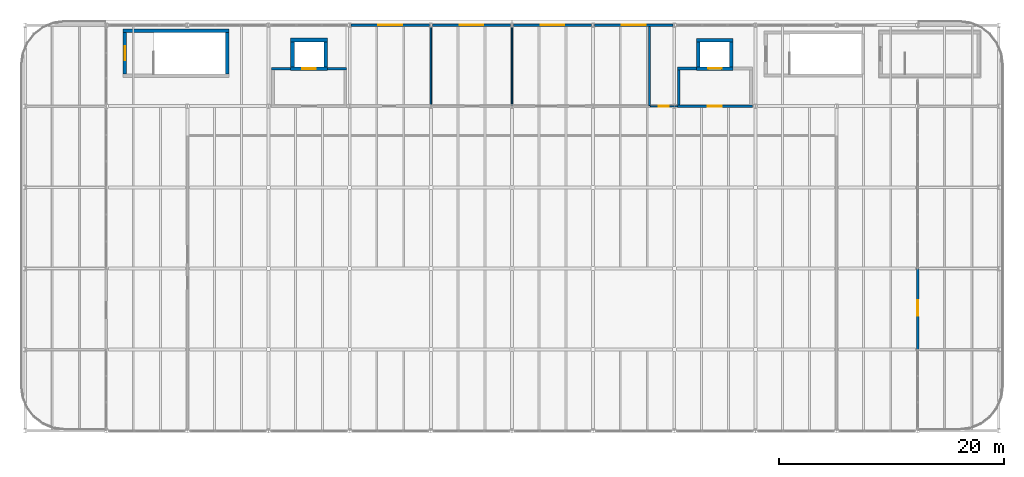
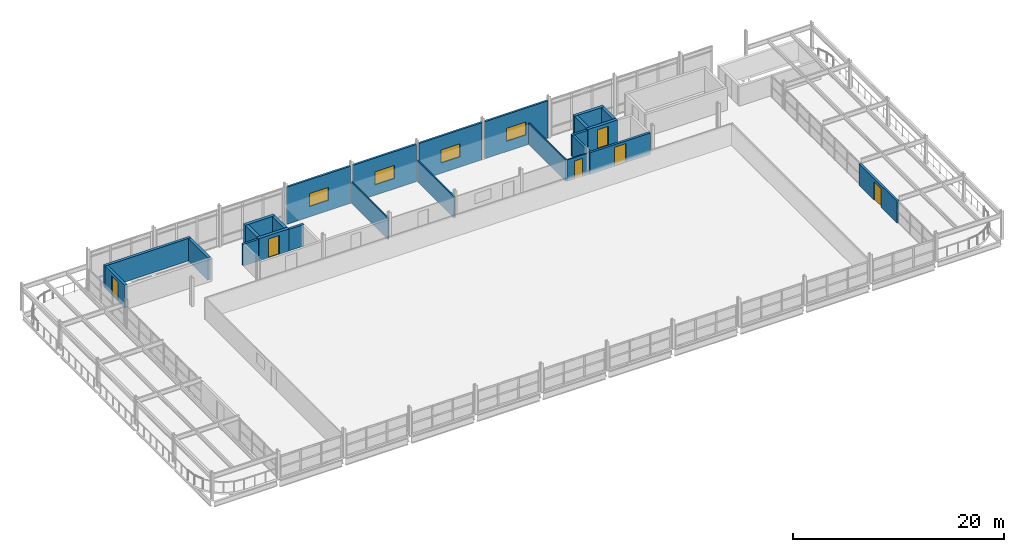
# One storey, part 21 of 25: 25 walls, 6 doors, 4 windows, 10 openings.
"""IFC4 building model written with IfcOpenShell, lengths in metres."""

from ifc_helpers import new_model, si_unit, direction, frame, frame_2d, origin, place, context, subcontext, project, spatial, rectangle, extrude, material, layer, layer_set, type_object, element, fill, save


model = new_model("IFC4")

# Units and contexts
model_context = context("Model", 3, precision=1e-05, world=origin(), true_north=direction((0.0, 1.0)))
body_context = subcontext(model_context, "Body", "Model", "MODEL_VIEW")
ifc_project = project(units=[si_unit("LENGTHUNIT", "METRE"), si_unit("AREAUNIT", "SQUARE_METRE"), si_unit("VOLUMEUNIT", "CUBIC_METRE"), si_unit("PLANEANGLEUNIT", "RADIAN"), si_unit("MASSUNIT", "GRAM", prefix="KILO")], contexts=[model_context])

# Site, building, storey
site_placement = place(None, origin())
site = spatial("IfcSite", under=ifc_project, at=site_placement, CompositionType="ELEMENT")
building_placement = place(site_placement, origin())
building = spatial("IfcBuilding", under=site, at=building_placement, Name="Vaelcorin Mobility Hub", CompositionType="ELEMENT")
storey_placement = place(building_placement, frame((0.0, 0.0, 21.0)))
storey = spatial("IfcBuildingStorey", under=building, at=storey_placement, Name="L05", CompositionType="ELEMENT", Elevation=21.0)

# Wall
ifc_material_1 = material(Name="Reinforced concrete f'c 45 MPa", Category="concrete")
ifc_layer_1 = layer(ifc_material_1, 0.300048828125)
ifc_layer_set_1 = layer_set([ifc_layer_1], Name="Reinforced concrete f'c 45 MPa")
wall_type_1 = type_object("IfcWallType", Name="WL-CORE-300", PredefinedType="SOLIDWALL", material=ifc_layer_set_1)
wall_1_placement = place(storey_placement, frame((44.699951171875, 119.47998046875, 0.0), z_axis=(0.0, 0.0, 1.0), x_axis=(1.0, 0.0, 0.0)))
element("IfcWall", 1, at=wall_1_placement, inside=storey, type_object=wall_type_1, Name="ST3 Fire Core Wall L05 North", PredefinedType="SOLIDWALL", context=body_context, shape_type="SweptSolid", body=[
    extrude(rectangle(XDim=9.400146484375, YDim=0.300048828125, at=frame_2d((4.7001953125, 0.0))), origin(), (0.0, 0.0, 1.0), 2.60009765625),
])

# Wall, opening, door
wall_2_placement = place(storey_placement, frame((44.85009765625, 115.64990234375, 0.0), z_axis=(0.0, 0.0, 1.0), x_axis=(0.0, 1.0, 0.0)))
wall_2 = element("IfcWall", 2, at=wall_2_placement, inside=storey, type_object=wall_type_1, Name="ST3 Fire Core Wall L05 West", PredefinedType="SOLIDWALL", context=body_context, shape_type="SweptSolid", body=[
    extrude(rectangle(XDim=3.68017578125, YDim=0.300048828125, at=frame_2d((1.840087890625, 0.0))), origin(), (0.0, 0.0, 1.0), 2.60009765625),
])
opening_1_placement = place(wall_2_placement, frame((1.215087890625, 0.0, 0.0)))
opening_1 = element("IfcOpeningElement", 3, at=opening_1_placement, cuts=wall_2, Name="Opening SD02", PredefinedType="OPENING", context=body_context, shape_type="SweptSolid", body=[
    extrude(rectangle(XDim=1.25, YDim=2.199951171875, at=frame_2d((0.625, 1.10009765625))), frame((0.0, 0.159912109375, 0.0), z_axis=(0.0, -1.0, 0.0), x_axis=(1.0, 0.0, 0.0)), (0.0, 0.0, 1.0), 0.320068359375),
])
ifc_material_2 = material(Name="Hollow-metal insulated steel fire door", Category="steel")
door_type_1 = type_object("IfcDoorType", Name="DR-STAIR-FF", OperationType="NOTDEFINED", PredefinedType="DOOR", material=ifc_material_2)
door_1_placement = place(opening_1_placement, origin())
door_1 = element("IfcDoor", 4, at=door_1_placement, inside=storey, type_object=door_type_1, Name="ST3 Protected Stair Door L05", OperationType="SINGLE_SWING_RIGHT", OverallHeight=2.199951171875, OverallWidth=1.25, PredefinedType="DOOR", context=body_context, shape_type="SweptSolid", body=[
    extrude(rectangle(XDim=1.25, YDim=2.199951171875, at=frame_2d((0.625, 1.10009765625))), frame((0.0, 0.02490234375, 0.0), z_axis=(0.0, -1.0, 0.0), x_axis=(1.0, 0.0, 0.0)), (0.0, 0.0, 1.0), 0.050048828125),
])
fill(opening_1, door_1)

# Wall
wall_3_placement = place(storey_placement, frame((53.949951171875, 119.330078125, 0.0), z_axis=(0.0, 0.0, 1.0), x_axis=(0.0, -1.0, 0.0)))
element("IfcWall", 5, at=wall_3_placement, inside=storey, type_object=wall_type_1, Name="ST3 Fire Core Wall L05 East", PredefinedType="SOLIDWALL", context=body_context, shape_type="SweptSolid", body=[
    extrude(rectangle(XDim=3.68017578125, YDim=0.300048828125, at=frame_2d((1.840087890625, 0.0))), origin(), (0.0, 0.0, 1.0), 2.60009765625),
])

# Wall, opening, window
ifc_material_3 = material(Name="Insulated exterior precast concrete C40/50", Category="concrete")
ifc_layer_2 = layer(ifc_material_3, 0.219970703125)
ifc_layer_set_2 = layer_set([ifc_layer_2], Name="Insulated exterior precast concrete C40/50")
wall_type_2 = type_object("IfcWallType", Name="WL-EXT-220", PredefinedType="STANDARD", material=ifc_layer_set_2)
wall_4_placement = place(storey_placement, frame((64.93603515625, 120.0, 0.0), z_axis=(0.0, 0.0, 1.0), x_axis=(1.0, 0.0, 0.0)))
wall_4 = element("IfcWall", 6, at=wall_4_placement, inside=storey, type_object=wall_type_2, Name="L05 Exterior Wall V3-EW-N-04", PredefinedType="STANDARD", context=body_context, shape_type="SweptSolid", body=[
    extrude(rectangle(XDim=6.927978515625, YDim=0.219970703125, at=frame_2d((3.4638671875, 0.0))), origin(), (0.0, 0.0, 1.0), 4.300048828125),
])
opening_2_placement = place(wall_4_placement, frame((2.4140625, 0.0, 1.199951171875)))
opening_2 = element("IfcOpeningElement", 7, at=opening_2_placement, cuts=wall_4, Name="Opening WN19", PredefinedType="OPENING", context=body_context, shape_type="SweptSolid", body=[
    extrude(rectangle(XDim=2.10009765625, YDim=1.5, at=frame_2d((1.050048828125, 0.75))), frame((0.0, 0.119873046875, 0.0), z_axis=(0.0, -1.0, 0.0), x_axis=(1.0, 0.0, 0.0)), (0.0, 0.0, 1.0), 0.239990234375),
])
ifc_material_4 = material(Name="Double-glazed low-E window unit", Category="glass")
window_type = type_object("IfcWindowType", Name="WIN-2100X1500", PartitioningType="SINGLE_PANEL", PredefinedType="WINDOW", material=ifc_material_4)
window_1_placement = place(opening_2_placement, origin())
window_1 = element("IfcWindow", 8, at=window_1_placement, inside=storey, type_object=window_type, Name="L05 Window V3-EW-N-04-WN", OverallHeight=1.5, OverallWidth=2.10009765625, PartitioningType="SINGLE_PANEL", PredefinedType="WINDOW", context=body_context, shape_type="SweptSolid", body=[
    extrude(rectangle(XDim=2.10009765625, YDim=1.5, at=frame_2d((1.050048828125, 0.75))), frame((0.0, 0.030029296875, 0.0), z_axis=(0.0, -1.0, 0.0), x_axis=(1.0, 0.0, 0.0)), (0.0, 0.0, 1.0), 0.06005859375),
])
fill(opening_2, window_1)

wall_5_placement = place(storey_placement, frame((72.135986328125, 120.0, 0.0), z_axis=(0.0, 0.0, 1.0), x_axis=(1.0, 0.0, 0.0)))
wall_5 = element("IfcWall", 9, at=wall_5_placement, inside=storey, type_object=wall_type_2, Name="L05 Exterior Wall V3-EW-N-05", PredefinedType="STANDARD", context=body_context, shape_type="SweptSolid", body=[
    extrude(rectangle(XDim=6.927978515625, YDim=0.219970703125, at=frame_2d((3.4638671875, 0.0))), origin(), (0.0, 0.0, 1.0), 4.300048828125),
])
opening_3_placement = place(wall_5_placement, frame((2.4140625, 0.0, 1.199951171875)))
opening_3 = element("IfcOpeningElement", 10, at=opening_3_placement, cuts=wall_5, Name="Opening WN19", PredefinedType="OPENING", context=body_context, shape_type="SweptSolid", body=[
    extrude(rectangle(XDim=2.10009765625, YDim=1.5, at=frame_2d((1.050048828125, 0.75))), frame((0.0, 0.119873046875, 0.0), z_axis=(0.0, -1.0, 0.0), x_axis=(1.0, 0.0, 0.0)), (0.0, 0.0, 1.0), 0.239990234375),
])
window_2_placement = place(opening_3_placement, origin())
window_2 = element("IfcWindow", 11, at=window_2_placement, inside=storey, type_object=window_type, Name="L05 Window V3-EW-N-05-WN", OverallHeight=1.5, OverallWidth=2.10009765625, PartitioningType="SINGLE_PANEL", PredefinedType="WINDOW", context=body_context, shape_type="SweptSolid", body=[
    extrude(rectangle(XDim=2.10009765625, YDim=1.5, at=frame_2d((1.050048828125, 0.75))), frame((0.0, 0.030029296875, 0.0), z_axis=(0.0, -1.0, 0.0), x_axis=(1.0, 0.0, 0.0)), (0.0, 0.0, 1.0), 0.06005859375),
])
fill(opening_3, window_2)

wall_6_placement = place(storey_placement, frame((79.3359375, 120.0, 0.0), z_axis=(0.0, 0.0, 1.0), x_axis=(1.0, 0.0, 0.0)))
wall_6 = element("IfcWall", 12, at=wall_6_placement, inside=storey, type_object=wall_type_2, Name="L05 Exterior Wall V3-EW-N-06", PredefinedType="STANDARD", context=body_context, shape_type="SweptSolid", body=[
    extrude(rectangle(XDim=6.927978515625, YDim=0.219970703125, at=frame_2d((3.4638671875, 0.0))), origin(), (0.0, 0.0, 1.0), 4.300048828125),
])
opening_4_placement = place(wall_6_placement, frame((2.4140625, 0.0, 1.199951171875)))
opening_4 = element("IfcOpeningElement", 13, at=opening_4_placement, cuts=wall_6, Name="Opening WN19", PredefinedType="OPENING", context=body_context, shape_type="SweptSolid", body=[
    extrude(rectangle(XDim=2.10009765625, YDim=1.5, at=frame_2d((1.050048828125, 0.75))), frame((0.0, 0.119873046875, 0.0), z_axis=(0.0, -1.0, 0.0), x_axis=(1.0, 0.0, 0.0)), (0.0, 0.0, 1.0), 0.239990234375),
])
window_3_placement = place(opening_4_placement, origin())
window_3 = element("IfcWindow", 14, at=window_3_placement, inside=storey, type_object=window_type, Name="L05 Window V3-EW-N-06-WN", OverallHeight=1.5, OverallWidth=2.10009765625, PartitioningType="SINGLE_PANEL", PredefinedType="WINDOW", context=body_context, shape_type="SweptSolid", body=[
    extrude(rectangle(XDim=2.10009765625, YDim=1.5, at=frame_2d((1.050048828125, 0.75))), frame((0.0, 0.030029296875, 0.0), z_axis=(0.0, -1.0, 0.0), x_axis=(1.0, 0.0, 0.0)), (0.0, 0.0, 1.0), 0.06005859375),
])
fill(opening_4, window_3)

wall_7_placement = place(storey_placement, frame((86.535888671875, 120.0, 0.0), z_axis=(0.0, 0.0, 1.0), x_axis=(1.0, 0.0, 0.0)))
wall_7 = element("IfcWall", 15, at=wall_7_placement, inside=storey, type_object=wall_type_2, Name="L05 Exterior Wall V3-EW-N-07", PredefinedType="STANDARD", context=body_context, shape_type="SweptSolid", body=[
    extrude(rectangle(XDim=6.92822265625, YDim=0.219970703125, at=frame_2d((3.464111328125, 0.0))), origin(), (0.0, 0.0, 1.0), 4.300048828125),
])
opening_5_placement = place(wall_7_placement, frame((2.4140625, 0.0, 1.199951171875)))
opening_5 = element("IfcOpeningElement", 16, at=opening_5_placement, cuts=wall_7, Name="Opening WN19", PredefinedType="OPENING", context=body_context, shape_type="SweptSolid", body=[
    extrude(rectangle(XDim=2.10009765625, YDim=1.5, at=frame_2d((1.050048828125, 0.75))), frame((0.0, 0.119873046875, 0.0), z_axis=(0.0, -1.0, 0.0), x_axis=(1.0, 0.0, 0.0)), (0.0, 0.0, 1.0), 0.239990234375),
])
window_4_placement = place(opening_5_placement, origin())
window_4 = element("IfcWindow", 17, at=window_4_placement, inside=storey, type_object=window_type, Name="L05 Window V3-EW-N-07-WN", OverallHeight=1.5, OverallWidth=2.10009765625, PartitioningType="SINGLE_PANEL", PredefinedType="WINDOW", context=body_context, shape_type="SweptSolid", body=[
    extrude(rectangle(XDim=2.10009765625, YDim=1.5, at=frame_2d((1.050048828125, 0.75))), frame((0.0, 0.030029296875, 0.0), z_axis=(0.0, -1.0, 0.0), x_axis=(1.0, 0.0, 0.0)), (0.0, 0.0, 1.0), 0.06005859375),
])
fill(opening_5, window_4)

# Wall, opening, door
ifc_layer_3 = layer(ifc_material_3, 0.239990234375)
ifc_layer_set_3 = layer_set([ifc_layer_3], Name="Insulated exterior precast concrete C40/50")
wall_type_3 = type_object("IfcWallType", Name="WL-EXT-240", PredefinedType="STANDARD", material=ifc_layer_set_3)
wall_8_placement = place(storey_placement, frame((115.199951171875, 98.39794921875, 0.0), z_axis=(0.0, 0.0, 1.0), x_axis=(0.0, -1.0, 0.0)))
wall_8 = element("IfcWall", 18, at=wall_8_placement, inside=storey, type_object=wall_type_3, Name="L05 Exterior Wall V3-EW-E-DOOR", PredefinedType="STANDARD", context=body_context, shape_type="SweptSolid", body=[
    extrude(rectangle(XDim=7.196044921875, YDim=0.239990234375, at=frame_2d((3.59814453125, 0.0))), origin(), (0.0, 0.0, 1.0), 2.5),
])
opening_6_placement = place(wall_8_placement, frame((2.80810546875, 0.0, 0.0)))
opening_6 = element("IfcOpeningElement", 19, at=opening_6_placement, cuts=wall_8, Name="Opening ED04", PredefinedType="OPENING", context=body_context, shape_type="SweptSolid", body=[
    extrude(rectangle(XDim=1.39990234375, YDim=2.14990234375, at=frame_2d((0.699951171875, 1.074951171875))), frame((0.0, 0.1298828125, 0.0), z_axis=(0.0, -1.0, 0.0), x_axis=(1.0, 0.0, 0.0)), (0.0, 0.0, 1.0), 0.260009765625),
])
ifc_material_5 = material(Name="Anodised aluminium 6063-T6", Category="aluminium")
door_type_2 = type_object("IfcDoorType", Name="DR-EXT-1400X2150", OperationType="NOTDEFINED", PredefinedType="DOOR", material=ifc_material_5)
door_2_placement = place(opening_6_placement, origin())
door_2 = element("IfcDoor", 20, at=door_2_placement, inside=storey, type_object=door_type_2, Name="L05 Exterior Door DR-L05-OUTE", OperationType="SINGLE_SWING_LEFT", OverallHeight=2.14990234375, OverallWidth=1.39990234375, PredefinedType="DOOR", context=body_context, shape_type="SweptSolid", body=[
    extrude(rectangle(XDim=1.39990234375, YDim=2.14990234375, at=frame_2d((0.699951171875, 1.074951171875))), frame((0.0, 0.02490234375, 0.0), z_axis=(0.0, -1.0, 0.0), x_axis=(1.0, 0.0, 0.0)), (0.0, 0.0, 1.0), 0.050048828125),
])
fill(opening_6, door_2)

ifc_material_6 = material(Name="Fire-rated acoustic steel-stud gypsum board", Category="steel")
ifc_layer_4 = layer(ifc_material_6, 0.10498046875)
ifc_layer_set_4 = layer_set([ifc_layer_4], Name="Fire-rated acoustic steel-stud gypsum board")
wall_type_4 = type_object("IfcWallType", Name="WL-PART-105", PredefinedType="PARTITIONING", material=ifc_layer_set_4)
wall_9_placement = place(storey_placement, frame((93.873046875, 112.800048828125, 0.0), z_axis=(0.0, 0.0, 1.0), x_axis=(-1.0, 0.0, 0.0)))
wall_9 = element("IfcWall", 21, at=wall_9_placement, inside=storey, type_object=wall_type_4, Name="Accessible WC L05 Partition South", PredefinedType="PARTITIONING", context=body_context, shape_type="SweptSolid", body=[
    extrude(rectangle(XDim=2.39111328125, YDim=0.10498046875, at=frame_2d((1.195556640625, 0.0))), origin(), (0.0, 0.0, 1.0), 2.5),
])
opening_7_placement = place(wall_9_placement, frame((0.74609375, 0.0, 0.0)))
opening_7 = element("IfcOpeningElement", 22, at=opening_7_placement, cuts=wall_9, Name="Opening ID01", PredefinedType="OPENING", context=body_context, shape_type="SweptSolid", body=[
    extrude(rectangle(XDim=0.89990234375, YDim=2.10009765625, at=frame_2d((0.449951171875, 1.050048828125))), frame((0.0, 0.0625, 0.0), z_axis=(0.0, -1.0, 0.0), x_axis=(1.0, 0.0, 0.0)), (0.0, 0.0, 1.0), 0.125),
])
ifc_material_7 = material(Name="Solid-core hardwood fire door assembly", Category="wood")
door_type_3 = type_object("IfcDoorType", Name="DR-INT-01", OperationType="NOTDEFINED", PredefinedType="DOOR", material=ifc_material_7)
door_3_placement = place(opening_7_placement, origin())
door_3 = element("IfcDoor", 23, at=door_3_placement, inside=storey, type_object=door_type_3, Name="Accessible WC L05 Door", OperationType="SINGLE_SWING_LEFT", OverallHeight=2.10009765625, OverallWidth=0.89990234375, PredefinedType="DOOR", context=body_context, shape_type="SweptSolid", body=[
    extrude(rectangle(XDim=0.89990234375, YDim=2.10009765625, at=frame_2d((0.449951171875, 1.050048828125))), frame((0.0, 0.02490234375, 0.0), z_axis=(0.0, -1.0, 0.0), x_axis=(1.0, 0.0, 0.0)), (0.0, 0.0, 1.0), 0.050048828125),
])
fill(opening_7, door_3)

# Walls
ifc_layer_5 = layer(ifc_material_6, 0.125)
ifc_layer_set_5 = layer_set([ifc_layer_5], Name="Fire-rated acoustic steel-stud gypsum board")
wall_type_5 = type_object("IfcWallType", Name="WL-PART-125", PredefinedType="PARTITIONING", material=ifc_layer_set_5)
wall_10_placement = place(storey_placement, frame((72.0, 119.85791015625, 0.0), z_axis=(0.0, 0.0, 1.0), x_axis=(0.0, -1.0, 0.0)))
element("IfcWall", 24, at=wall_10_placement, inside=storey, type_object=wall_type_5, Name="West Sports Changing and Showers Partition East", PredefinedType="PARTITIONING", context=body_context, shape_type="SweptSolid", body=[
    extrude(rectangle(XDim=6.9208984375, YDim=0.125, at=frame_2d((3.46044921875, 0.0))), origin(), (0.0, 0.0, 1.0), 2.5),
])
ifc_layer_6 = layer(ifc_material_6, 0.1298828125)
ifc_layer_set_6 = layer_set([ifc_layer_6], Name="Fire-rated acoustic steel-stud gypsum board")
wall_type_6 = type_object("IfcWallType", Name="WL-PART-130", PredefinedType="PARTITIONING", material=ifc_layer_set_6)
wall_11_placement = place(storey_placement, frame((79.199951171875, 119.85791015625, 0.0), z_axis=(0.0, 0.0, 1.0), x_axis=(0.0, -1.0, 0.0)))
element("IfcWall", 25, at=wall_11_placement, inside=storey, type_object=wall_type_6, Name="Rooftop Court Refreshment Kiosk Partition East", PredefinedType="PARTITIONING", context=body_context, shape_type="SweptSolid", body=[
    extrude(rectangle(XDim=7.005859375, YDim=0.1298828125, at=frame_2d((3.5029296875, 0.0))), origin(), (0.0, 0.0, 1.0), 2.5),
])
ifc_layer_7 = layer(ifc_material_6, 0.135009765625)
ifc_layer_set_7 = layer_set([ifc_layer_7], Name="Fire-rated acoustic steel-stud gypsum board")
wall_type_7 = type_object("IfcWallType", Name="WL-PART-135", PredefinedType="PARTITIONING", material=ifc_layer_set_7)
wall_12_placement = place(storey_placement, frame((91.39990234375, 119.85791015625, 0.0), z_axis=(0.0, 0.0, 1.0), x_axis=(0.0, -1.0, 0.0)))
element("IfcWall", 26, at=wall_12_placement, inside=storey, type_object=wall_type_7, Name="Sports Equipment Store Partition East", PredefinedType="PARTITIONING", context=body_context, shape_type="SweptSolid", body=[
    extrude(rectangle(XDim=7.00390625, YDim=0.135009765625, at=frame_2d((3.501953125, 0.0))), origin(), (0.0, 0.0, 1.0), 2.5),
])
ifc_material_8 = material(Name="Reinforced acoustic concrete masonry C30/37", Category="masonry")
ifc_layer_8 = layer(ifc_material_8, 0.25)
ifc_layer_set_8 = layer_set([ifc_layer_8], Name="Reinforced acoustic concrete masonry C30/37")
wall_type_8 = type_object("IfcWallType", Name="WL-PART-250", PredefinedType="PARTITIONING", material=ifc_layer_set_8)
wall_13_placement = place(storey_placement, frame((57.875, 116.125, 0.0), z_axis=(0.0, 0.0, 1.0), x_axis=(1.0, 0.0, 0.0)))
element("IfcWall", 27, at=wall_13_placement, inside=storey, type_object=wall_type_8, Name="Firefighting Lobby West L05 Return Wall NW", PredefinedType="PARTITIONING", context=body_context, shape_type="SweptSolid", body=[
    extrude(rectangle(XDim=1.673095703125, YDim=0.25, at=frame_2d((0.83642578125, 0.0))), origin(), (0.0, 0.0, 1.0), 2.5),
])
wall_14_placement = place(storey_placement, frame((62.85205078125, 116.125, 0.0), z_axis=(0.0, 0.0, 1.0), x_axis=(1.0, 0.0, 0.0)))
element("IfcWall", 28, at=wall_14_placement, inside=storey, type_object=wall_type_8, Name="Firefighting Lobby West L05 Return Wall NE", PredefinedType="PARTITIONING", context=body_context, shape_type="SweptSolid", body=[
    extrude(rectangle(XDim=1.6728515625, YDim=0.25, at=frame_2d((0.83642578125, 0.0))), origin(), (0.0, 0.0, 1.0), 2.5),
])

# Wall, opening, door
wall_15_placement = place(storey_placement, frame((100.52490234375, 112.800048828125, 0.0), z_axis=(0.0, 0.0, 1.0), x_axis=(-1.0, 0.0, 0.0)))
wall_15 = element("IfcWall", 29, at=wall_15_placement, inside=storey, type_object=wall_type_8, Name="Firefighting Lobby East L05 Partition South", PredefinedType="PARTITIONING", context=body_context, shape_type="SweptSolid", body=[
    extrude(rectangle(XDim=6.64990234375, YDim=0.25, at=frame_2d((3.324951171875, 0.0))), origin(), (0.0, 0.0, 1.0), 2.5),
])
opening_8_placement = place(wall_15_placement, frame((2.699951171875, 0.0, 0.0)))
opening_8 = element("IfcOpeningElement", 30, at=opening_8_placement, cuts=wall_15, Name="Opening SD02", PredefinedType="OPENING", context=body_context, shape_type="SweptSolid", body=[
    extrude(rectangle(XDim=1.25, YDim=2.199951171875, at=frame_2d((0.625, 1.10009765625))), frame((0.0, 0.135009765625, 0.0), z_axis=(0.0, -1.0, 0.0), x_axis=(1.0, 0.0, 0.0)), (0.0, 0.0, 1.0), 0.27001953125),
])
door_4_placement = place(opening_8_placement, origin())
door_4 = element("IfcDoor", 31, at=door_4_placement, inside=storey, type_object=door_type_1, Name="Firefighting Lobby East L05 Door", OperationType="SINGLE_SWING_RIGHT", OverallHeight=2.199951171875, OverallWidth=1.25, PredefinedType="DOOR", context=body_context, shape_type="SweptSolid", body=[
    extrude(rectangle(XDim=1.25, YDim=2.199951171875, at=frame_2d((0.625, 1.10009765625))), frame((0.0, 0.02490234375, 0.0), z_axis=(0.0, -1.0, 0.0), x_axis=(1.0, 0.0, 0.0)), (0.0, 0.0, 1.0), 0.050048828125),
])
fill(opening_8, door_4)

# Walls
wall_16_placement = place(storey_placement, frame((93.875, 116.137939453125, 0.0), z_axis=(0.0, 0.0, 1.0), x_axis=(1.0, 0.0, 0.0)))
element("IfcWall", 32, at=wall_16_placement, inside=storey, type_object=wall_type_8, Name="Firefighting Lobby East L05 Return Wall NW", PredefinedType="PARTITIONING", context=body_context, shape_type="SweptSolid", body=[
    extrude(rectangle(XDim=1.697998046875, YDim=0.25, at=frame_2d((0.84912109375, 0.0))), origin(), (0.0, 0.0, 1.0), 2.5),
])
wall_17_placement = place(storey_placement, frame((94.0, 112.927001953125, 0.0), z_axis=(0.0, 0.0, 1.0), x_axis=(0.0, 1.0, 0.0)))
element("IfcWall", 33, at=wall_17_placement, inside=storey, type_object=wall_type_8, Name="Firefighting Lobby East L05 Partition West", PredefinedType="PARTITIONING", context=body_context, shape_type="SweptSolid", body=[
    extrude(rectangle(XDim=3.083984375, YDim=0.25, at=frame_2d((1.5419921875, 0.0))), origin(), (0.0, 0.0, 1.0), 2.5),
])

# Wall, opening, door
ifc_layer_9 = layer(ifc_material_1, 0.324951171875)
ifc_layer_set_9 = layer_set([ifc_layer_9], Name="Reinforced concrete f'c 45 MPa")
wall_type_9 = type_object("IfcWallType", Name="WL-SHEAR-325", PredefinedType="SHEAR", material=ifc_layer_set_9)
wall_18_placement = place(storey_placement, frame((98.824951171875, 116.137939453125, 0.0), z_axis=(0.0, 0.0, 1.0), x_axis=(-1.0, 0.0, 0.0)))
wall_18 = element("IfcWall", 34, at=wall_18_placement, inside=storey, type_object=wall_type_9, Name="LF2 Lift Shaft Shear Wall L05 South", PredefinedType="SHEAR", context=body_context, shape_type="SweptSolid", body=[
    extrude(rectangle(XDim=3.25, YDim=0.324951171875, at=frame_2d((1.625, 0.0))), origin(), (0.0, 0.0, 1.0), 2.60009765625),
])
opening_9_placement = place(wall_18_placement, frame((1.02490234375, 0.0, 0.0)))
opening_9 = element("IfcOpeningElement", 35, at=opening_9_placement, cuts=wall_18, Name="Opening LD1", PredefinedType="OPENING", context=body_context, shape_type="SweptSolid", body=[
    extrude(rectangle(XDim=1.199951171875, YDim=2.199951171875, at=frame_2d((0.60009765625, 1.10009765625))), frame((0.0, 0.17236328125, 0.0), z_axis=(0.0, -1.0, 0.0), x_axis=(1.0, 0.0, 0.0)), (0.0, 0.0, 1.0), 0.344970703125),
])
ifc_material_9 = material(Name="Brushed stainless steel 316L", Category="steel")
door_type_4 = type_object("IfcDoorType", Name="DR-LIFT-LD1", OperationType="NOTDEFINED", PredefinedType="DOOR", material=ifc_material_9)
door_5_placement = place(opening_9_placement, origin())
door_5 = element("IfcDoor", 36, at=door_5_placement, inside=storey, type_object=door_type_4, Name="LF2 Lift Landing Sliding Door L05", OperationType="DOUBLE_DOOR_SLIDING", OverallHeight=2.199951171875, OverallWidth=1.199951171875, PredefinedType="DOOR", context=body_context, shape_type="SweptSolid", body=[
    extrude(rectangle(XDim=1.199951171875, YDim=2.199951171875, at=frame_2d((0.60009765625, 1.10009765625))), frame((0.0, 0.02490234375, 0.0), z_axis=(0.0, -1.0, 0.0), x_axis=(1.0, 0.0, 0.0)), (0.0, 0.0, 1.0), 0.050048828125),
])
fill(opening_9, door_5)

# Walls
wall_19_placement = place(storey_placement, frame((95.574951171875, 118.662109375, 0.0), z_axis=(0.0, 0.0, 1.0), x_axis=(1.0, 0.0, 0.0)))
element("IfcWall", 37, at=wall_19_placement, inside=storey, type_object=wall_type_9, Name="LF2 Lift Shaft Shear Wall L05 North", PredefinedType="SHEAR", context=body_context, shape_type="SweptSolid", body=[
    extrude(rectangle(XDim=3.25, YDim=0.324951171875, at=frame_2d((1.625, 0.0))), origin(), (0.0, 0.0, 1.0), 2.60009765625),
])
for number, where, z_axis, x_axis, name in (
    (38, (95.738037109375, 116.300048828125, 0.0), (0.0, 0.0, 1.0), (0.0, 1.0, 0.0), "LF2 Lift Shaft Shear Wall L05 West"),
    (39, (98.662109375, 118.5, 0.0), (0.0, 0.0, 1.0), (0.0, -1.0, 0.0), "LF2 Lift Shaft Shear Wall L05 East"),
):
    element("IfcWall", number, at=place(storey_placement, frame(where, z_axis=z_axis, x_axis=x_axis)), inside=storey, type_object=wall_type_9, Name=name, PredefinedType="SHEAR", context=body_context, shape_type="SweptSolid", body=[
        extrude(rectangle(XDim=2.199951171875, YDim=0.324951171875, at=frame_2d((1.10009765625, 0.0))), origin(), (0.0, 0.0, 1.0), 2.60009765625),
    ])

# Wall, opening, door
ifc_layer_10 = layer(ifc_material_1, 0.35009765625)
ifc_layer_set_10 = layer_set([ifc_layer_10], Name="Reinforced concrete f'c 45 MPa")
wall_type_10 = type_object("IfcWallType", Name="WL-SHEAR-350", PredefinedType="SHEAR", material=ifc_layer_set_10)
wall_20_placement = place(storey_placement, frame((62.85009765625, 116.125, 0.0), z_axis=(0.0, 0.0, 1.0), x_axis=(-1.0, 0.0, 0.0)))
wall_20 = element("IfcWall", 40, at=wall_20_placement, inside=storey, type_object=wall_type_10, Name="LF1 Lift Shaft Shear Wall L05 South", PredefinedType="SHEAR", context=body_context, shape_type="SweptSolid", body=[
    extrude(rectangle(XDim=3.300048828125, YDim=0.35009765625, at=frame_2d((1.64990234375, 0.0))), origin(), (0.0, 0.0, 1.0), 2.60009765625),
])
opening_10_placement = place(wall_20_placement, frame((1.050048828125, 0.0, 0.0)))
opening_10 = element("IfcOpeningElement", 41, at=opening_10_placement, cuts=wall_20, Name="Opening LD1", PredefinedType="OPENING", context=body_context, shape_type="SweptSolid", body=[
    extrude(rectangle(XDim=1.199951171875, YDim=2.199951171875, at=frame_2d((0.60009765625, 1.10009765625))), frame((0.0, 0.18505859375, 0.0), z_axis=(0.0, -1.0, 0.0), x_axis=(1.0, 0.0, 0.0)), (0.0, 0.0, 1.0), 0.3701171875),
])
door_6_placement = place(opening_10_placement, origin())
door_6 = element("IfcDoor", 42, at=door_6_placement, inside=storey, type_object=door_type_4, Name="LF1 Lift Landing Sliding Door L05", OperationType="DOUBLE_DOOR_SLIDING", OverallHeight=2.199951171875, OverallWidth=1.199951171875, PredefinedType="DOOR", context=body_context, shape_type="SweptSolid", body=[
    extrude(rectangle(XDim=1.199951171875, YDim=2.199951171875, at=frame_2d((0.60009765625, 1.10009765625))), frame((0.0, 0.02490234375, 0.0), z_axis=(0.0, -1.0, 0.0), x_axis=(1.0, 0.0, 0.0)), (0.0, 0.0, 1.0), 0.050048828125),
])
fill(opening_10, door_6)

# Walls
wall_21_placement = place(storey_placement, frame((59.550048828125, 118.675048828125, 0.0), z_axis=(0.0, 0.0, 1.0), x_axis=(1.0, 0.0, 0.0)))
element("IfcWall", 43, at=wall_21_placement, inside=storey, type_object=wall_type_10, Name="LF1 Lift Shaft Shear Wall L05 North", PredefinedType="SHEAR", context=body_context, shape_type="SweptSolid", body=[
    extrude(rectangle(XDim=3.300048828125, YDim=0.35009765625, at=frame_2d((1.64990234375, 0.0))), origin(), (0.0, 0.0, 1.0), 2.60009765625),
])
for number, where, z_axis, x_axis, name in (
    (44, (59.72509765625, 116.300048828125, 0.0), (0.0, 0.0, 1.0), (0.0, 1.0, 0.0), "LF1 Lift Shaft Shear Wall L05 West"),
    (45, (62.675048828125, 118.5, 0.0), (0.0, 0.0, 1.0), (0.0, -1.0, 0.0), "LF1 Lift Shaft Shear Wall L05 East"),
):
    element("IfcWall", number, at=place(storey_placement, frame(where, z_axis=z_axis, x_axis=x_axis)), inside=storey, type_object=wall_type_10, Name=name, PredefinedType="SHEAR", context=body_context, shape_type="SweptSolid", body=[
        extrude(rectangle(XDim=2.199951171875, YDim=0.35009765625, at=frame_2d((1.10009765625, 0.0))), origin(), (0.0, 0.0, 1.0), 2.60009765625),
    ])

save(model, "model.ifc")
